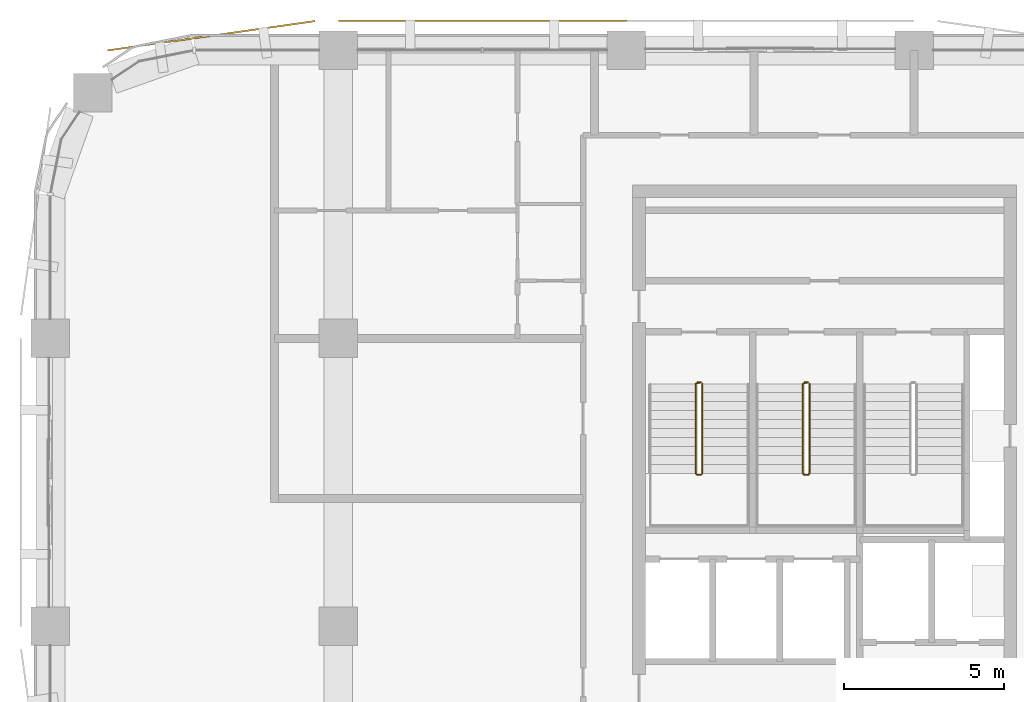
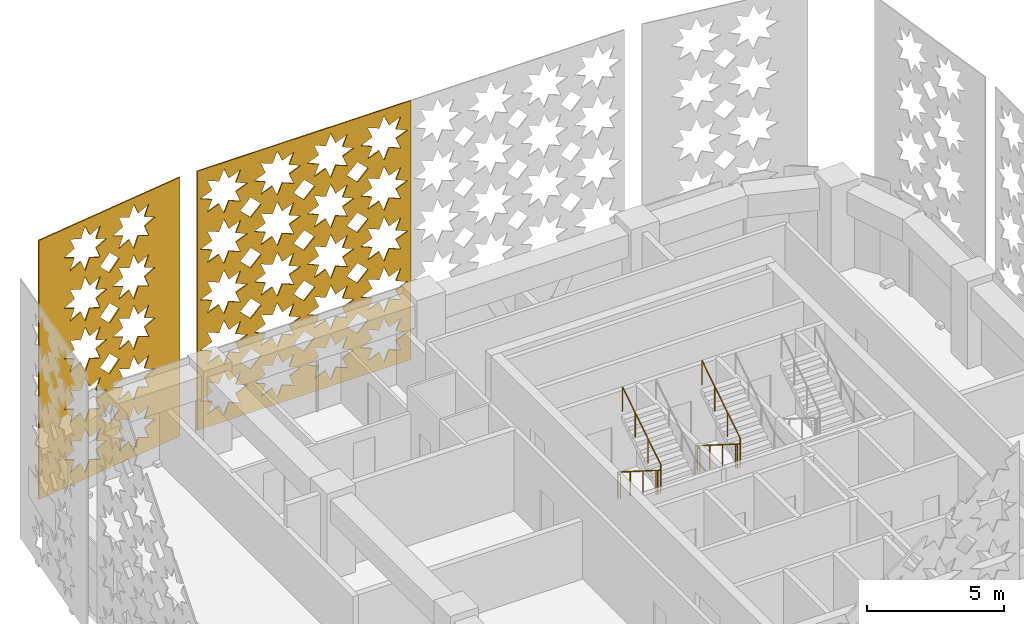
# One storey, part 13 of 15: 2 coverings, 2 railings.
"""IFC4 building model written with IfcOpenShell, lengths in metres."""

from ifc_helpers import new_model, si_unit, direction, frame, origin, origin_2d, place, context, subcontext, project, spatial, polyline, circle, outline, extrude, material, layer, layer_set, type_object, element, save


model = new_model("IFC4")

# Units and contexts
model_context = context("Model", 3, precision=1e-05, world=origin(), true_north=direction((0.0, 1.0)))
body_context = subcontext(model_context, "Body", "Model", "MODEL_VIEW")
ifc_project = project(units=[si_unit("LENGTHUNIT", "METRE"), si_unit("AREAUNIT", "SQUARE_METRE"), si_unit("VOLUMEUNIT", "CUBIC_METRE"), si_unit("PLANEANGLEUNIT", "RADIAN"), si_unit("MASSUNIT", "GRAM", prefix="KILO")], contexts=[model_context])

# Site, building, storey
site_placement = place(None, origin())
site = spatial("IfcSite", under=ifc_project, at=site_placement, CompositionType="ELEMENT")
building_placement = place(site_placement, origin())
building = spatial("IfcBuilding", under=site, at=building_placement, Name="Tessera Arch", CompositionType="ELEMENT")
storey_placement = place(building_placement, frame((0.0, 0.0, 257.89990234375)))
storey = spatial("IfcBuildingStorey", under=building, at=storey_placement, Name="L62", CompositionType="ELEMENT", Elevation=257.89990234375)

# Coverings
ifc_material_1 = material(Name="Anodised aluminium pale metal", Category="aluminium")
ifc_layer_1 = layer(ifc_material_1, 0.050048828125)
ifc_layer_set_1 = layer_set([ifc_layer_1], Name="Pierced screen panel corner bay")
covering_type_1 = type_object("IfcCoveringType", Name="Pierced screen panel corner bay", PredefinedType="CLADDING", material=ifc_layer_set_1)
covering_1_placement = place(storey_placement, frame((26.27392578125, 54.89111328125, 11.7001953125), z_axis=(0.140074186016, -0.990141011378, 0.0), x_axis=(-0.990141011378, -0.140074186016, 0.0)))
element("IfcCovering", 1, at=covering_1_placement, inside=storey, type_object=covering_type_1, Name="SCREEN pierced panel N54.18/3 L62-L64", PredefinedType="CLADDING", context=body_context, shape_type="SweptSolid", body=[
    extrude(outline(polyline([(0.0, 0.0), (6.546475218445481, 0.0), (6.546475218445481, 11.5400390625), (0.0, 11.5400390625), (0.0, 0.0)]), holes=[polyline([(3.1378926073747033, 10.27001953125), (2.646957140062835, 10.06298828125), (2.8479028079497066, 9.570068359375), (2.354999273675671, 9.77099609375), (2.147907671256942, 9.280029296875), (1.941990539265672, 9.77099609375), (1.4481200704102128, 9.570068359375), (1.6490657382970841, 10.06298828125), (1.158130270985216, 10.27001953125), (1.6490657382970841, 10.47705078125), (1.4481200704102128, 10.97021484375), (1.941990539265672, 10.76904296875), (2.147907671256942, 11.260009765625), (2.354999273675671, 10.76904296875), (2.8479028079497066, 10.97021484375), (2.646957140062835, 10.47705078125), (3.1378926073747033, 10.27001953125)]), polyline([(3.1378926073747033, 8.02001953125), (2.646957140062835, 7.81298828125), (2.8479028079497066, 7.320068359375), (2.354999273675671, 7.52099609375), (2.147907671256942, 7.030029296875), (1.941990539265672, 7.52099609375), (1.4481200704102128, 7.320068359375), (1.6490657382970841, 7.81298828125), (1.158130270985216, 8.02001953125), (1.6490657382970841, 8.22705078125), (1.4481200704102128, 8.72021484375), (1.941990539265672, 8.51904296875), (2.147907671256942, 9.010009765625), (2.354999273675671, 8.51904296875), (2.8479028079497066, 8.72021484375), (2.646957140062835, 8.22705078125), (3.1378926073747033, 8.02001953125)]), polyline([(3.1378926073747033, 5.77001953125), (2.646957140062835, 5.56298828125), (2.8479028079497066, 5.070068359375), (2.354999273675671, 5.27099609375), (2.147907671256942, 4.780029296875), (1.941990539265672, 5.27099609375), (1.4481200704102128, 5.070068359375), (1.6490657382970841, 5.56298828125), (1.158130270985216, 5.77001953125), (1.6490657382970841, 5.97705078125), (1.4481200704102128, 6.47021484375), (1.941990539265672, 6.26904296875), (2.147907671256942, 6.760009765625), (2.354999273675671, 6.26904296875), (2.8479028079497066, 6.47021484375), (2.646957140062835, 5.97705078125), (3.1378926073747033, 5.77001953125)]), polyline([(3.1378926073747033, 3.52001953125), (2.646957140062835, 3.31298828125), (2.8479028079497066, 2.820068359375), (2.354999273675671, 3.02099609375), (2.147907671256942, 2.530029296875), (1.941990539265672, 3.02099609375), (1.4481200704102128, 2.820068359375), (1.6490657382970841, 3.31298828125), (1.158130270985216, 3.52001953125), (1.6490657382970841, 3.72705078125), (1.4481200704102128, 4.22021484375), (1.941990539265672, 4.01904296875), (2.147907671256942, 4.510009765625), (2.354999273675671, 4.01904296875), (2.8479028079497066, 4.22021484375), (2.646957140062835, 3.72705078125), (3.1378926073747033, 3.52001953125)]), polyline([(3.1378926073747033, 1.27001953125), (2.646957140062835, 1.06298828125), (2.8479028079497066, 0.570068359375), (2.354999273675671, 0.77099609375), (2.147907671256942, 0.280029296875), (1.941990539265672, 0.77099609375), (1.4481200704102128, 0.570068359375), (1.6490657382970841, 1.06298828125), (1.158130270985216, 1.27001953125), (1.6490657382970841, 1.47705078125), (1.4481200704102128, 1.97021484375), (1.941990539265672, 1.76904296875), (2.147907671256942, 2.260009765625), (2.354999273675671, 1.76904296875), (2.8479028079497066, 1.97021484375), (2.646957140062835, 1.47705078125), (3.1378926073747033, 1.27001953125)]), polyline([(5.387861480169554, 10.27001953125), (4.896926012857686, 10.06298828125), (5.097871680744557, 9.570068359375), (4.604968146470521, 9.77099609375), (4.398118277697149, 9.280029296875), (4.191959412060523, 9.77099609375), (3.698088943205064, 9.570068359375), (3.899034611091935, 10.06298828125), (3.408099143780067, 10.27001953125), (3.899034611091935, 10.47705078125), (3.698088943205064, 10.97021484375), (4.191959412060523, 10.76904296875), (4.398118277697149, 11.260009765625), (4.604968146470521, 10.76904296875), (5.097871680744557, 10.97021484375), (4.896926012857686, 10.47705078125), (5.387861480169554, 10.27001953125)]), polyline([(5.387861480169554, 8.02001953125), (4.896926012857686, 7.81298828125), (5.097871680744557, 7.320068359375), (4.604968146470521, 7.52099609375), (4.398118277697149, 7.030029296875), (4.191959412060523, 7.52099609375), (3.698088943205064, 7.320068359375), (3.899034611091935, 7.81298828125), (3.408099143780067, 8.02001953125), (3.899034611091935, 8.22705078125), (3.698088943205064, 8.72021484375), (4.191959412060523, 8.51904296875), (4.398118277697149, 9.010009765625), (4.604968146470521, 8.51904296875), (5.097871680744557, 8.72021484375), (4.896926012857686, 8.22705078125), (5.387861480169554, 8.02001953125)]), polyline([(5.387861480169554, 5.77001953125), (4.896926012857686, 5.56298828125), (5.097871680744557, 5.070068359375), (4.604968146470521, 5.27099609375), (4.398118277697149, 4.780029296875), (4.191959412060523, 5.27099609375), (3.698088943205064, 5.070068359375), (3.899034611091935, 5.56298828125), (3.408099143780067, 5.77001953125), (3.899034611091935, 5.97705078125), (3.698088943205064, 6.47021484375), (4.191959412060523, 6.26904296875), (4.398118277697149, 6.760009765625), (4.604968146470521, 6.26904296875), (5.097871680744557, 6.47021484375), (4.896926012857686, 5.97705078125), (5.387861480169554, 5.77001953125)]), polyline([(5.387861480169554, 3.52001953125), (4.896926012857686, 3.31298828125), (5.097871680744557, 2.820068359375), (4.604968146470521, 3.02099609375), (4.398118277697149, 2.530029296875), (4.191959412060523, 3.02099609375), (3.698088943205064, 2.820068359375), (3.899034611091935, 3.31298828125), (3.408099143780067, 3.52001953125), (3.899034611091935, 3.72705078125), (3.698088943205064, 4.22021484375), (4.191959412060523, 4.01904296875), (4.398118277697149, 4.510009765625), (4.604968146470521, 4.01904296875), (5.097871680744557, 4.22021484375), (4.896926012857686, 3.72705078125), (5.387861480169554, 3.52001953125)]), polyline([(5.387861480169554, 1.27001953125), (4.896926012857686, 1.06298828125), (5.097871680744557, 0.570068359375), (4.604968146470521, 0.77099609375), (4.398118277697149, 0.280029296875), (4.191959412060523, 0.77099609375), (3.698088943205064, 0.570068359375), (3.899034611091935, 1.06298828125), (3.408099143780067, 1.27001953125), (3.899034611091935, 1.47705078125), (3.698088943205064, 1.97021484375), (4.191959412060523, 1.76904296875), (4.398118277697149, 2.260009765625), (4.604968146470521, 1.76904296875), (5.097871680744557, 1.97021484375), (4.896926012857686, 1.47705078125), (5.387861480169554, 1.27001953125)]), polyline([(3.7229828105764913, 9.14501953125), (3.2729958755773856, 8.695068359375), (2.823008940578279, 9.14501953125), (3.2729958755773856, 9.59521484375), (3.7229828105764913, 9.14501953125)]), polyline([(3.7229828105764913, 6.89501953125), (3.2729958755773856, 6.445068359375), (2.823008940578279, 6.89501953125), (3.2729958755773856, 7.34521484375), (3.7229828105764913, 6.89501953125)]), polyline([(3.7229828105764913, 4.64501953125), (3.2729958755773856, 4.195068359375), (2.823008940578279, 4.64501953125), (3.2729958755773856, 5.09521484375), (3.7229828105764913, 4.64501953125)]), polyline([(3.7229828105764913, 2.39501953125), (3.2729958755773856, 1.945068359375), (2.823008940578279, 2.39501953125), (3.2729958755773856, 2.84521484375), (3.7229828105764913, 2.39501953125)])]), origin(), (0.0, 0.0, -1.0), 0.050048828125),
])
ifc_material_2 = material(Name="Anodised aluminium pale metal", Category="aluminium")
ifc_layer_2 = layer(ifc_material_2, 0.050048828125)
ifc_layer_set_2 = layer_set([ifc_layer_2], Name="Pierced screen panel straight bay")
covering_type_2 = type_object("IfcCoveringType", Name="Pierced screen panel straight bay", PredefinedType="CLADDING", material=ifc_layer_set_2)
covering_2_placement = place(storey_placement, frame((36.0, 54.89990234375, 11.7001953125), z_axis=(0.0, -1.0, 0.0), x_axis=(-1.0, 0.0, 0.0)))
element("IfcCovering", 2, at=covering_2_placement, inside=storey, type_object=covering_type_2, Name="SCREEN pierced panel N54.18/2 L62-L64", PredefinedType="CLADDING", context=body_context, shape_type="SweptSolid", body=[
    extrude(outline(polyline([(0.0, 0.0), (9.0, 0.0), (9.0, 11.5400390625), (0.0, 11.5400390625), (0.0, 0.0)]), holes=[polyline([(2.114990234375, 10.27001953125), (1.6240234375, 10.06298828125), (1.824951171875, 9.570068359375), (1.33203125, 9.77099609375), (1.125, 9.280029296875), (0.91796875, 9.77099609375), (0.425048828125, 9.570068359375), (0.6259765625, 10.06298828125), (0.135009765625, 10.27001953125), (0.6259765625, 10.47705078125), (0.425048828125, 10.97021484375), (0.91796875, 10.76904296875), (1.125, 11.260009765625), (1.33203125, 10.76904296875), (1.824951171875, 10.97021484375), (1.6240234375, 10.47705078125), (2.114990234375, 10.27001953125)]), polyline([(2.114990234375, 8.02001953125), (1.6240234375, 7.81298828125), (1.824951171875, 7.320068359375), (1.33203125, 7.52099609375), (1.125, 7.030029296875), (0.91796875, 7.52099609375), (0.425048828125, 7.320068359375), (0.6259765625, 7.81298828125), (0.135009765625, 8.02001953125), (0.6259765625, 8.22705078125), (0.425048828125, 8.72021484375), (0.91796875, 8.51904296875), (1.125, 9.010009765625), (1.33203125, 8.51904296875), (1.824951171875, 8.72021484375), (1.6240234375, 8.22705078125), (2.114990234375, 8.02001953125)]), polyline([(2.114990234375, 5.77001953125), (1.6240234375, 5.56298828125), (1.824951171875, 5.070068359375), (1.33203125, 5.27099609375), (1.125, 4.780029296875), (0.91796875, 5.27099609375), (0.425048828125, 5.070068359375), (0.6259765625, 5.56298828125), (0.135009765625, 5.77001953125), (0.6259765625, 5.97705078125), (0.425048828125, 6.47021484375), (0.91796875, 6.26904296875), (1.125, 6.760009765625), (1.33203125, 6.26904296875), (1.824951171875, 6.47021484375), (1.6240234375, 5.97705078125), (2.114990234375, 5.77001953125)]), polyline([(2.114990234375, 3.52001953125), (1.6240234375, 3.31298828125), (1.824951171875, 2.820068359375), (1.33203125, 3.02099609375), (1.125, 2.530029296875), (0.91796875, 3.02099609375), (0.425048828125, 2.820068359375), (0.6259765625, 3.31298828125), (0.135009765625, 3.52001953125), (0.6259765625, 3.72705078125), (0.425048828125, 4.22021484375), (0.91796875, 4.01904296875), (1.125, 4.510009765625), (1.33203125, 4.01904296875), (1.824951171875, 4.22021484375), (1.6240234375, 3.72705078125), (2.114990234375, 3.52001953125)]), polyline([(2.114990234375, 1.27001953125), (1.6240234375, 1.06298828125), (1.824951171875, 0.570068359375), (1.33203125, 0.77099609375), (1.125, 0.280029296875), (0.91796875, 0.77099609375), (0.425048828125, 0.570068359375), (0.6259765625, 1.06298828125), (0.135009765625, 1.27001953125), (0.6259765625, 1.47705078125), (0.425048828125, 1.97021484375), (0.91796875, 1.76904296875), (1.125, 2.260009765625), (1.33203125, 1.76904296875), (1.824951171875, 1.97021484375), (1.6240234375, 1.47705078125), (2.114990234375, 1.27001953125)]), polyline([(4.364990234375, 10.27001953125), (3.8740234375, 10.06298828125), (4.074951171875, 9.570068359375), (3.58203125, 9.77099609375), (3.375, 9.280029296875), (3.16796875, 9.77099609375), (2.675048828125, 9.570068359375), (2.8759765625, 10.06298828125), (2.385009765625, 10.27001953125), (2.8759765625, 10.47705078125), (2.675048828125, 10.97021484375), (3.16796875, 10.76904296875), (3.375, 11.260009765625), (3.58203125, 10.76904296875), (4.074951171875, 10.97021484375), (3.8740234375, 10.47705078125), (4.364990234375, 10.27001953125)]), polyline([(4.364990234375, 8.02001953125), (3.8740234375, 7.81298828125), (4.074951171875, 7.320068359375), (3.58203125, 7.52099609375), (3.375, 7.030029296875), (3.16796875, 7.52099609375), (2.675048828125, 7.320068359375), (2.8759765625, 7.81298828125), (2.385009765625, 8.02001953125), (2.8759765625, 8.22705078125), (2.675048828125, 8.72021484375), (3.16796875, 8.51904296875), (3.375, 9.010009765625), (3.58203125, 8.51904296875), (4.074951171875, 8.72021484375), (3.8740234375, 8.22705078125), (4.364990234375, 8.02001953125)]), polyline([(4.364990234375, 5.77001953125), (3.8740234375, 5.56298828125), (4.074951171875, 5.070068359375), (3.58203125, 5.27099609375), (3.375, 4.780029296875), (3.16796875, 5.27099609375), (2.675048828125, 5.070068359375), (2.8759765625, 5.56298828125), (2.385009765625, 5.77001953125), (2.8759765625, 5.97705078125), (2.675048828125, 6.47021484375), (3.16796875, 6.26904296875), (3.375, 6.760009765625), (3.58203125, 6.26904296875), (4.074951171875, 6.47021484375), (3.8740234375, 5.97705078125), (4.364990234375, 5.77001953125)]), polyline([(4.364990234375, 3.52001953125), (3.8740234375, 3.31298828125), (4.074951171875, 2.820068359375), (3.58203125, 3.02099609375), (3.375, 2.530029296875), (3.16796875, 3.02099609375), (2.675048828125, 2.820068359375), (2.8759765625, 3.31298828125), (2.385009765625, 3.52001953125), (2.8759765625, 3.72705078125), (2.675048828125, 4.22021484375), (3.16796875, 4.01904296875), (3.375, 4.510009765625), (3.58203125, 4.01904296875), (4.074951171875, 4.22021484375), (3.8740234375, 3.72705078125), (4.364990234375, 3.52001953125)]), polyline([(4.364990234375, 1.27001953125), (3.8740234375, 1.06298828125), (4.074951171875, 0.570068359375), (3.58203125, 0.77099609375), (3.375, 0.280029296875), (3.16796875, 0.77099609375), (2.675048828125, 0.570068359375), (2.8759765625, 1.06298828125), (2.385009765625, 1.27001953125), (2.8759765625, 1.47705078125), (2.675048828125, 1.97021484375), (3.16796875, 1.76904296875), (3.375, 2.260009765625), (3.58203125, 1.76904296875), (4.074951171875, 1.97021484375), (3.8740234375, 1.47705078125), (4.364990234375, 1.27001953125)]), polyline([(6.614990234375, 10.27001953125), (6.1240234375, 10.06298828125), (6.324951171875, 9.570068359375), (5.83203125, 9.77099609375), (5.625, 9.280029296875), (5.41796875, 9.77099609375), (4.925048828125, 9.570068359375), (5.1259765625, 10.06298828125), (4.635009765625, 10.27001953125), (5.1259765625, 10.47705078125), (4.925048828125, 10.97021484375), (5.41796875, 10.76904296875), (5.625, 11.260009765625), (5.83203125, 10.76904296875), (6.324951171875, 10.97021484375), (6.1240234375, 10.47705078125), (6.614990234375, 10.27001953125)]), polyline([(6.614990234375, 8.02001953125), (6.1240234375, 7.81298828125), (6.324951171875, 7.320068359375), (5.83203125, 7.52099609375), (5.625, 7.030029296875), (5.41796875, 7.52099609375), (4.925048828125, 7.320068359375), (5.1259765625, 7.81298828125), (4.635009765625, 8.02001953125), (5.1259765625, 8.22705078125), (4.925048828125, 8.72021484375), (5.41796875, 8.51904296875), (5.625, 9.010009765625), (5.83203125, 8.51904296875), (6.324951171875, 8.72021484375), (6.1240234375, 8.22705078125), (6.614990234375, 8.02001953125)]), polyline([(6.614990234375, 5.77001953125), (6.1240234375, 5.56298828125), (6.324951171875, 5.070068359375), (5.83203125, 5.27099609375), (5.625, 4.780029296875), (5.41796875, 5.27099609375), (4.925048828125, 5.070068359375), (5.1259765625, 5.56298828125), (4.635009765625, 5.77001953125), (5.1259765625, 5.97705078125), (4.925048828125, 6.47021484375), (5.41796875, 6.26904296875), (5.625, 6.760009765625), (5.83203125, 6.26904296875), (6.324951171875, 6.47021484375), (6.1240234375, 5.97705078125), (6.614990234375, 5.77001953125)]), polyline([(6.614990234375, 3.52001953125), (6.1240234375, 3.31298828125), (6.324951171875, 2.820068359375), (5.83203125, 3.02099609375), (5.625, 2.530029296875), (5.41796875, 3.02099609375), (4.925048828125, 2.820068359375), (5.1259765625, 3.31298828125), (4.635009765625, 3.52001953125), (5.1259765625, 3.72705078125), (4.925048828125, 4.22021484375), (5.41796875, 4.01904296875), (5.625, 4.510009765625), (5.83203125, 4.01904296875), (6.324951171875, 4.22021484375), (6.1240234375, 3.72705078125), (6.614990234375, 3.52001953125)]), polyline([(6.614990234375, 1.27001953125), (6.1240234375, 1.06298828125), (6.324951171875, 0.570068359375), (5.83203125, 0.77099609375), (5.625, 0.280029296875), (5.41796875, 0.77099609375), (4.925048828125, 0.570068359375), (5.1259765625, 1.06298828125), (4.635009765625, 1.27001953125), (5.1259765625, 1.47705078125), (4.925048828125, 1.97021484375), (5.41796875, 1.76904296875), (5.625, 2.260009765625), (5.83203125, 1.76904296875), (6.324951171875, 1.97021484375), (6.1240234375, 1.47705078125), (6.614990234375, 1.27001953125)]), polyline([(8.864990234375, 10.27001953125), (8.3740234375, 10.06298828125), (8.574951171875, 9.570068359375), (8.08203125, 9.77099609375), (7.875, 9.280029296875), (7.66796875, 9.77099609375), (7.175048828125, 9.570068359375), (7.3759765625, 10.06298828125), (6.885009765625, 10.27001953125), (7.3759765625, 10.47705078125), (7.175048828125, 10.97021484375), (7.66796875, 10.76904296875), (7.875, 11.260009765625), (8.08203125, 10.76904296875), (8.574951171875, 10.97021484375), (8.3740234375, 10.47705078125), (8.864990234375, 10.27001953125)]), polyline([(8.864990234375, 8.02001953125), (8.3740234375, 7.81298828125), (8.574951171875, 7.320068359375), (8.08203125, 7.52099609375), (7.875, 7.030029296875), (7.66796875, 7.52099609375), (7.175048828125, 7.320068359375), (7.3759765625, 7.81298828125), (6.885009765625, 8.02001953125), (7.3759765625, 8.22705078125), (7.175048828125, 8.72021484375), (7.66796875, 8.51904296875), (7.875, 9.010009765625), (8.08203125, 8.51904296875), (8.574951171875, 8.72021484375), (8.3740234375, 8.22705078125), (8.864990234375, 8.02001953125)]), polyline([(8.864990234375, 5.77001953125), (8.3740234375, 5.56298828125), (8.574951171875, 5.070068359375), (8.08203125, 5.27099609375), (7.875, 4.780029296875), (7.66796875, 5.27099609375), (7.175048828125, 5.070068359375), (7.3759765625, 5.56298828125), (6.885009765625, 5.77001953125), (7.3759765625, 5.97705078125), (7.175048828125, 6.47021484375), (7.66796875, 6.26904296875), (7.875, 6.760009765625), (8.08203125, 6.26904296875), (8.574951171875, 6.47021484375), (8.3740234375, 5.97705078125), (8.864990234375, 5.77001953125)]), polyline([(8.864990234375, 3.52001953125), (8.3740234375, 3.31298828125), (8.574951171875, 2.820068359375), (8.08203125, 3.02099609375), (7.875, 2.530029296875), (7.66796875, 3.02099609375), (7.175048828125, 2.820068359375), (7.3759765625, 3.31298828125), (6.885009765625, 3.52001953125), (7.3759765625, 3.72705078125), (7.175048828125, 4.22021484375), (7.66796875, 4.01904296875), (7.875, 4.510009765625), (8.08203125, 4.01904296875), (8.574951171875, 4.22021484375), (8.3740234375, 3.72705078125), (8.864990234375, 3.52001953125)]), polyline([(8.864990234375, 1.27001953125), (8.3740234375, 1.06298828125), (8.574951171875, 0.570068359375), (8.08203125, 0.77099609375), (7.875, 0.280029296875), (7.66796875, 0.77099609375), (7.175048828125, 0.570068359375), (7.3759765625, 1.06298828125), (6.885009765625, 1.27001953125), (7.3759765625, 1.47705078125), (7.175048828125, 1.97021484375), (7.66796875, 1.76904296875), (7.875, 2.260009765625), (8.08203125, 1.76904296875), (8.574951171875, 1.97021484375), (8.3740234375, 1.47705078125), (8.864990234375, 1.27001953125)]), polyline([(2.699951171875, 9.14501953125), (2.25, 8.695068359375), (1.800048828125, 9.14501953125), (2.25, 9.59521484375), (2.699951171875, 9.14501953125)]), polyline([(2.699951171875, 6.89501953125), (2.25, 6.445068359375), (1.800048828125, 6.89501953125), (2.25, 7.34521484375), (2.699951171875, 6.89501953125)]), polyline([(2.699951171875, 4.64501953125), (2.25, 4.195068359375), (1.800048828125, 4.64501953125), (2.25, 5.09521484375), (2.699951171875, 4.64501953125)]), polyline([(2.699951171875, 2.39501953125), (2.25, 1.945068359375), (1.800048828125, 2.39501953125), (2.25, 2.84521484375), (2.699951171875, 2.39501953125)]), polyline([(4.949951171875, 9.14501953125), (4.5, 8.695068359375), (4.050048828125, 9.14501953125), (4.5, 9.59521484375), (4.949951171875, 9.14501953125)]), polyline([(4.949951171875, 6.89501953125), (4.5, 6.445068359375), (4.050048828125, 6.89501953125), (4.5, 7.34521484375), (4.949951171875, 6.89501953125)]), polyline([(4.949951171875, 4.64501953125), (4.5, 4.195068359375), (4.050048828125, 4.64501953125), (4.5, 5.09521484375), (4.949951171875, 4.64501953125)]), polyline([(4.949951171875, 2.39501953125), (4.5, 1.945068359375), (4.050048828125, 2.39501953125), (4.5, 2.84521484375), (4.949951171875, 2.39501953125)]), polyline([(7.199951171875, 9.14501953125), (6.75, 8.695068359375), (6.300048828125, 9.14501953125), (6.75, 9.59521484375), (7.199951171875, 9.14501953125)]), polyline([(7.199951171875, 6.89501953125), (6.75, 6.445068359375), (6.300048828125, 6.89501953125), (6.75, 7.34521484375), (7.199951171875, 6.89501953125)]), polyline([(7.199951171875, 4.64501953125), (6.75, 4.195068359375), (6.300048828125, 4.64501953125), (6.75, 5.09521484375), (7.199951171875, 4.64501953125)]), polyline([(7.199951171875, 2.39501953125), (6.75, 1.945068359375), (6.300048828125, 2.39501953125), (6.75, 2.84521484375), (7.199951171875, 2.39501953125)])]), origin(), (0.0, 0.0, -1.0), 0.050048828125),
])

# Railings
ifc_material_3 = material(Name="Painted steel balustrade", Category="steel")
railing_type = type_object("IfcRailingType", Name="Stair guard 1100", PredefinedType="GUARDRAIL", material=ifc_material_3)
railing_1_placement = place(storey_placement, frame((38.219970703125, 43.6298828125, 0.0)))
element("IfcRailing", 3, at=railing_1_placement, inside=storey, type_object=railing_type, Name="L62 S1a stair guard 1", PredefinedType="GUARDRAIL", context=body_context, shape_type="SweptSolid", body=[
    extrude(circle(Radius=0.02392578125, at=origin_2d()), frame((-0.00390625, 0.0, 1.076171875), z_axis=(1.0, 0.0, 0.0), x_axis=(0.0, 1.0, 0.0)), (0.0, 0.0, 1.0), 0.1181640625),
    extrude(circle(Radius=0.02392578125, at=origin_2d()), frame((0.11279296875, 0.000732421875, 1.0732421875), z_axis=(-0.655842288892, -0.203950955692, 0.72682521955), x_axis=(0.296948579431, -0.954893471113, 0.0)), (0.0, 0.0, 1.0), 0.252197265625),
    extrude(circle(Radius=0.02392578125, at=origin_2d()), frame((-0.050048828125, -0.04638671875, 1.25146484375), z_axis=(0.0, -0.844908973607, 0.534910110503), x_axis=(1.0, 0.0, 0.0)), (0.0, 0.0, 1.0), 3.322021484375),
    extrude(circle(Radius=0.02392578125, at=origin_2d()), frame((-0.052978515625, -2.846923828125, 3.0263671875), z_axis=(0.707106781187, -0.707106781187, 0.0), x_axis=(0.707106781187, 0.707106781187, 0.0)), (0.0, 0.0, 1.0), 0.078857421875),
    extrude(circle(Radius=0.02392578125, at=origin_2d()), frame((-0.00390625, -2.89990234375, 3.0263671875), z_axis=(1.0, 0.0, 0.0), x_axis=(0.0, 1.0, 0.0)), (0.0, 0.0, 1.0), 0.1181640625),
    extrude(circle(Radius=0.02392578125, at=origin_2d()), frame((0.109130859375, -2.90087890625, 3.0224609375), z_axis=(0.261041864531, 0.262321481514, 0.929001929653), x_axis=(-0.708833529934, 0.705375805398, 0.0)), (0.0, 0.0, 1.0), 0.19873046875),
    extrude(circle(Radius=0.02392578125, at=origin_2d()), frame((0.159912109375, -2.853271484375, 3.201416015625), z_axis=(0.0, 0.844908973607, 0.534910110503), x_axis=(-1.0, 0.0, 0.0)), (0.0, 0.0, 1.0), 3.322021484375),
    extrude(circle(Radius=0.02099609375, at=origin_2d()), origin(), (0.0, 0.0, 1.0), 1.06396484375),
    extrude(circle(Radius=0.02099609375, at=origin_2d()), frame((0.110107421875, 0.0, 0.0)), (0.0, 0.0, 1.0), 1.06396484375),
    extrude(circle(Radius=0.02099609375, at=origin_2d()), frame((-0.050048828125, -0.0498046875, 0.177490234375)), (0.0, 0.0, 1.0), 1.06396484375),
    extrude(circle(Radius=0.02099609375, at=origin_2d()), frame((-0.050048828125, -0.983154296875, 0.768310546875)), (0.0, 0.0, 1.0), 1.06396484375),
    extrude(circle(Radius=0.02099609375, at=origin_2d()), frame((-0.050048828125, -1.91650390625, 1.359375)), (0.0, 0.0, 1.0), 1.06396484375),
    extrude(circle(Radius=0.02099609375, at=origin_2d()), frame((-0.050048828125, -2.849853515625, 1.9501953125)), (0.0, 0.0, 1.0), 1.06396484375),
    extrude(circle(Radius=0.02099609375, at=origin_2d()), frame((0.0, -2.89990234375, 1.9501953125)), (0.0, 0.0, 1.0), 1.06396484375),
    extrude(circle(Radius=0.02099609375, at=origin_2d()), frame((0.110107421875, -2.89990234375, 1.9501953125)), (0.0, 0.0, 1.0), 1.06396484375),
    extrude(circle(Radius=0.02099609375, at=origin_2d()), frame((0.159912109375, -2.849853515625, 2.12744140625)), (0.0, 0.0, 1.0), 1.06396484375),
    extrude(circle(Radius=0.02099609375, at=origin_2d()), frame((0.159912109375, -1.91650390625, 2.71826171875)), (0.0, 0.0, 1.0), 1.06396484375),
    extrude(circle(Radius=0.02099609375, at=origin_2d()), frame((0.159912109375, -0.983154296875, 3.309326171875)), (0.0, 0.0, 1.0), 1.06396484375),
    extrude(circle(Radius=0.02099609375, at=origin_2d()), frame((0.159912109375, -0.0498046875, 3.900146484375)), (0.0, 0.0, 1.0), 1.06396484375),
])
railing_2_placement = place(storey_placement, frame((41.570068359375, 43.6298828125, 0.0)))
element("IfcRailing", 4, at=railing_2_placement, inside=storey, type_object=railing_type, Name="L62 S1b stair guard 1", PredefinedType="GUARDRAIL", context=body_context, shape_type="SweptSolid", body=[
    extrude(circle(Radius=0.02392578125, at=origin_2d()), frame((-0.00390625, 0.0, 1.076171875), z_axis=(1.0, 0.0, 0.0), x_axis=(0.0, 1.0, 0.0)), (0.0, 0.0, 1.0), 0.117919921875),
    extrude(circle(Radius=0.02392578125, at=origin_2d()), frame((0.112548828125, 0.000732421875, 1.0732421875), z_axis=(-0.655271994328, -0.204084712737, 0.727301892941), x_axis=(0.297361876254, -0.954764847777, 0.0)), (0.0, 0.0, 1.0), 0.251953125),
    extrude(circle(Radius=0.02392578125, at=origin_2d()), frame((-0.050048828125, -0.04638671875, 1.25146484375), z_axis=(0.0, -0.844908973607, 0.534910110503), x_axis=(1.0, 0.0, 0.0)), (0.0, 0.0, 1.0), 3.322021484375),
    extrude(circle(Radius=0.02392578125, at=origin_2d()), frame((-0.052978515625, -2.846923828125, 3.0263671875), z_axis=(0.707106781187, -0.707106781187, 0.0), x_axis=(0.707106781187, 0.707106781187, 0.0)), (0.0, 0.0, 1.0), 0.078857421875),
    extrude(circle(Radius=0.02392578125, at=origin_2d()), frame((-0.00390625, -2.89990234375, 3.0263671875), z_axis=(1.0, 0.0, 0.0), x_axis=(0.0, 1.0, 0.0)), (0.0, 0.0, 1.0), 0.117919921875),
    extrude(circle(Radius=0.02392578125, at=origin_2d()), frame((0.10888671875, -2.90087890625, 3.0224609375), z_axis=(0.262233686654, 0.262233686654, 0.928691007369), x_axis=(-0.707106781187, 0.707106781187, 0.0)), (0.0, 0.0, 1.0), 0.198974609375),
    extrude(circle(Radius=0.02392578125, at=origin_2d()), frame((0.159912109375, -2.853271484375, 3.201416015625), z_axis=(0.0, 0.844908973607, 0.534910110503), x_axis=(-1.0, 0.0, 0.0)), (0.0, 0.0, 1.0), 3.322021484375),
    extrude(circle(Radius=0.02099609375, at=origin_2d()), origin(), (0.0, 0.0, 1.0), 1.06396484375),
    extrude(circle(Radius=0.02099609375, at=origin_2d()), frame((0.10986328125, 0.0, 0.0)), (0.0, 0.0, 1.0), 1.06396484375),
    extrude(circle(Radius=0.02099609375, at=origin_2d()), frame((-0.050048828125, -0.0498046875, 0.177490234375)), (0.0, 0.0, 1.0), 1.06396484375),
    extrude(circle(Radius=0.02099609375, at=origin_2d()), frame((-0.050048828125, -0.983154296875, 0.768310546875)), (0.0, 0.0, 1.0), 1.06396484375),
    extrude(circle(Radius=0.02099609375, at=origin_2d()), frame((-0.050048828125, -1.91650390625, 1.359375)), (0.0, 0.0, 1.0), 1.06396484375),
    extrude(circle(Radius=0.02099609375, at=origin_2d()), frame((-0.050048828125, -2.849853515625, 1.9501953125)), (0.0, 0.0, 1.0), 1.06396484375),
    extrude(circle(Radius=0.02099609375, at=origin_2d()), frame((0.0, -2.89990234375, 1.9501953125)), (0.0, 0.0, 1.0), 1.06396484375),
    extrude(circle(Radius=0.02099609375, at=origin_2d()), frame((0.10986328125, -2.89990234375, 1.9501953125)), (0.0, 0.0, 1.0), 1.06396484375),
    extrude(circle(Radius=0.02099609375, at=origin_2d()), frame((0.159912109375, -2.849853515625, 2.12744140625)), (0.0, 0.0, 1.0), 1.06396484375),
    extrude(circle(Radius=0.02099609375, at=origin_2d()), frame((0.159912109375, -1.91650390625, 2.71826171875)), (0.0, 0.0, 1.0), 1.06396484375),
    extrude(circle(Radius=0.02099609375, at=origin_2d()), frame((0.159912109375, -0.983154296875, 3.309326171875)), (0.0, 0.0, 1.0), 1.06396484375),
    extrude(circle(Radius=0.02099609375, at=origin_2d()), frame((0.159912109375, -0.0498046875, 3.900146484375)), (0.0, 0.0, 1.0), 1.06396484375),
])

save(model, "model.ifc")
